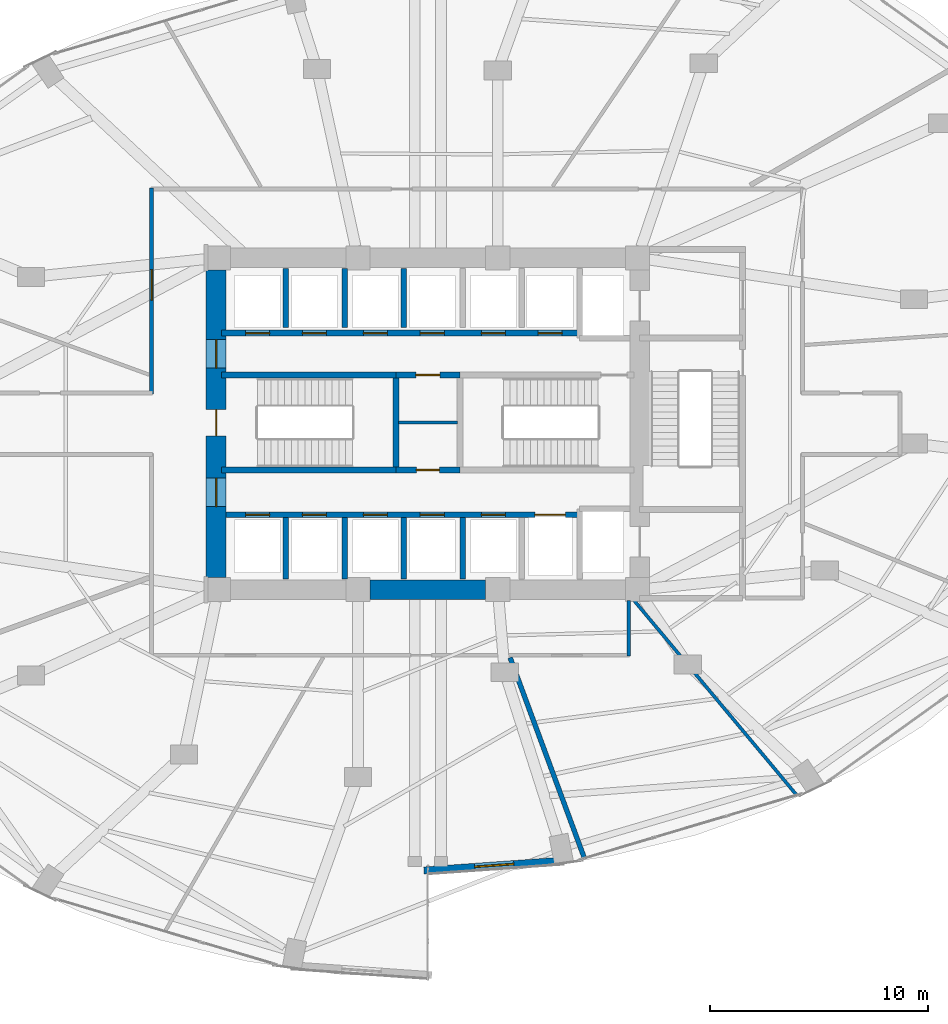
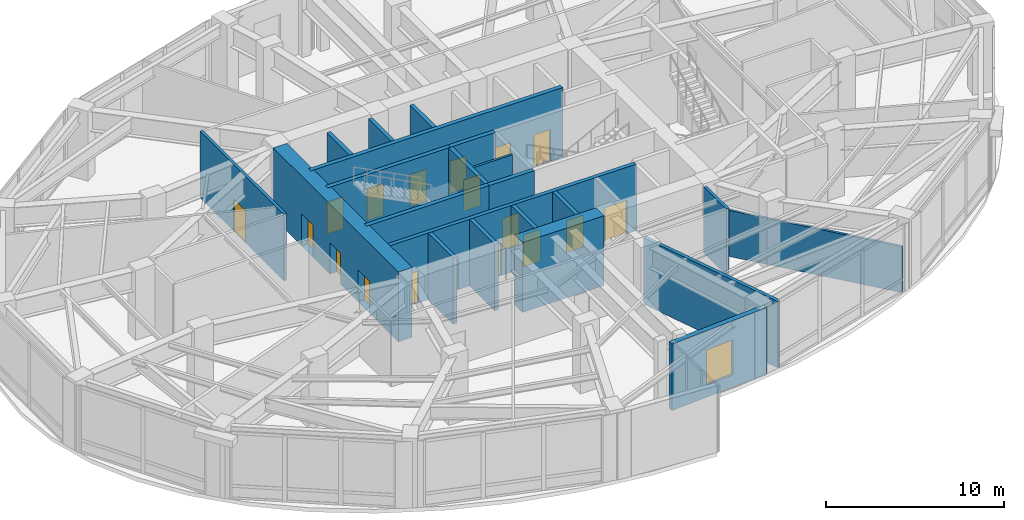
# One storey, part 21 of 24: 22 walls, 18 doors, 1 window, 19 openings.
"""IFC4 building model written with IfcOpenShell, lengths in metres."""

from ifc_helpers import new_model, si_unit, direction, frame, frame_2d, origin, place, context, subcontext, project, spatial, rectangle, extrude, material, layer, layer_set, type_object, element, fill, save


model = new_model("IFC4")

# Units and contexts
model_context = context("Model", 3, precision=1e-05, world=origin(), true_north=direction((0.0, 1.0)))
body_context = subcontext(model_context, "Body", "Model", "MODEL_VIEW")
ifc_project = project(units=[si_unit("LENGTHUNIT", "METRE"), si_unit("AREAUNIT", "SQUARE_METRE"), si_unit("VOLUMEUNIT", "CUBIC_METRE"), si_unit("PLANEANGLEUNIT", "RADIAN"), si_unit("MASSUNIT", "GRAM", prefix="KILO")], contexts=[model_context])

# Site, building, storey
site_placement = place(None, origin())
site = spatial("IfcSite", under=ifc_project, at=site_placement, CompositionType="ELEMENT")
building_placement = place(site_placement, origin())
building = spatial("IfcBuilding", under=site, at=building_placement, Name="Lazwardi Medical Tower", CompositionType="ELEMENT")
storey_placement = place(building_placement, frame((0.0, 0.0, 20.39990234375)))
storey = spatial("IfcBuildingStorey", under=building, at=storey_placement, Name="L04", CompositionType="ELEMENT", Elevation=20.39990234375)

# Wall, opening, door
ifc_material_1 = material(Name="Fire-rated gypsum board on steel stud", Category="steel")
ifc_layer_1 = layer(ifc_material_1, 0.179931640625)
ifc_layer_set_1 = layer_set([ifc_layer_1], Name="Fire-rated gypsum board on steel stud")
wall_type_1 = type_object("IfcWallType", Name="WL-COR-180", PredefinedType="PARTITIONING", material=ifc_layer_set_1)
wall_1_placement = place(storey_placement, frame((23.35009765625, 29.360107421875, 0.0), z_axis=(0.0, 0.0, 1.0), x_axis=(0.0, 1.0, 0.0)))
wall_1 = element("IfcWall", 1, at=wall_1_placement, inside=storey, type_object=wall_type_1, Name="L04 Corridor partition 3", PredefinedType="PARTITIONING", context=body_context, shape_type="SweptSolid", body=[
    extrude(rectangle(XDim=9.429931640625, YDim=0.179931640625, at=frame_2d((4.71484375, 0.0))), origin(), (0.0, 0.0, 1.0), 4.580078125),
])
opening_1_placement = place(wall_1_placement, frame((4.298095703125, 0.0, 0.0)))
opening_1 = element("IfcOpeningElement", 2, at=opening_1_placement, cuts=wall_1, Name="Opening D-L04-016", PredefinedType="OPENING", context=body_context, shape_type="SweptSolid", body=[
    extrude(rectangle(XDim=1.39990234375, YDim=2.199951171875, at=frame_2d((0.699951171875, 1.10009765625))), frame((0.0, 0.099853515625, 0.0), z_axis=(0.0, -1.0, 0.0), x_axis=(1.0, 0.0, 0.0)), (0.0, 0.0, 1.0), 0.199951171875),
])
ifc_material_2 = material(Name="Anti-microbial laminate hospital leaf")
door_type_1 = type_object("IfcDoorType", Name="DR-BED-1400", OperationType="NOTDEFINED", PredefinedType="DOOR", material=ifc_material_2)
door_1_placement = place(opening_1_placement, origin())
door_1 = element("IfcDoor", 3, at=door_1_placement, inside=storey, type_object=door_type_1, Name="L04 Sterile Preparation Room Door 10", OperationType="SINGLE_SWING_RIGHT", OverallHeight=2.199951171875, OverallWidth=1.39990234375, PredefinedType="DOOR", context=body_context, shape_type="SweptSolid", body=[
    extrude(rectangle(XDim=1.39990234375, YDim=2.199951171875, at=frame_2d((0.699951171875, 1.10009765625))), frame((0.0, 0.02490234375, 0.0), z_axis=(0.0, -1.0, 0.0), x_axis=(1.0, 0.0, 0.0)), (0.0, 0.0, 1.0), 0.050048828125),
])
fill(opening_1, door_1)

# Wall
wall_2_placement = place(storey_placement, frame((45.199951171875, 19.909912109375, 0.0), z_axis=(0.0, 0.0, 1.0), x_axis=(0.0, -1.0, 0.0)))
element("IfcWall", 4, at=wall_2_placement, inside=storey, type_object=wall_type_1, Name="L04 Corridor partition 13", PredefinedType="PARTITIONING", context=body_context, shape_type="SweptSolid", body=[
    extrude(rectangle(XDim=2.5498046875, YDim=0.179931640625, at=frame_2d((1.27490234375, 0.0))), origin(), (0.0, 0.0, 1.0), 4.580078125),
])

# Wall, openings, doors
ifc_material_3 = material(Name="Concrete C80/95", Category="concrete")
ifc_layer_2 = layer(ifc_material_3, 0.89990234375)
ifc_layer_set_2 = layer_set([ifc_layer_2], Name="Concrete C80/95")
wall_type_2 = type_object("IfcWallType", Name="WL-CORE-900", PredefinedType="SHEAR", material=ifc_layer_set_2)
wall_3_placement = place(storey_placement, frame((26.300048828125, 20.949951171875, 0.0), z_axis=(0.0, 0.0, 1.0), x_axis=(0.0, 1.0, 0.0)))
wall_3 = element("IfcWall", 5, at=wall_3_placement, inside=storey, type_object=wall_type_2, Name="Core wall CW-S1 west L04", PredefinedType="SHEAR", context=body_context, shape_type="SweptSolid", body=[
    extrude(rectangle(XDim=14.10009765625, YDim=0.89990234375, at=frame_2d((7.050048828125, 0.0))), origin(), (0.0, 0.0, 1.0), 4.800048828125),
])
opening_2_placement = place(wall_3_placement, frame((6.5, 0.0, 0.0)))
opening_2 = element("IfcOpeningElement", 6, at=opening_2_placement, cuts=wall_3, Name="Opening D-L04-017", PredefinedType="OPENING", context=body_context, shape_type="SweptSolid", body=[
    extrude(rectangle(XDim=1.199951171875, YDim=2.14990234375, at=frame_2d((0.60009765625, 1.074951171875))), frame((0.0, 0.4599609375, 0.0), z_axis=(0.0, -1.0, 0.0), x_axis=(1.0, 0.0, 0.0)), (0.0, 0.0, 1.0), 0.919921875),
])
opening_3_placement = place(wall_3_placement, frame((9.60009765625, 0.0, 0.0)))
opening_3 = element("IfcOpeningElement", 7, at=opening_3_placement, cuts=wall_3, Name="Opening D-L04-005", PredefinedType="OPENING", context=body_context, shape_type="SweptSolid", body=[
    extrude(rectangle(XDim=1.300048828125, YDim=2.199951171875, at=frame_2d((0.64990234375, 1.10009765625))), frame((0.0, 0.4599609375, 0.0), z_axis=(0.0, -1.0, 0.0), x_axis=(1.0, 0.0, 0.0)), (0.0, 0.0, 1.0), 0.919921875),
])
opening_4_placement = place(wall_3_placement, frame((3.260009765625, 0.0, 0.0)))
opening_4 = element("IfcOpeningElement", 8, at=opening_4_placement, cuts=wall_3, Name="Opening D-L04-006", PredefinedType="OPENING", context=body_context, shape_type="SweptSolid", body=[
    extrude(rectangle(XDim=1.300048828125, YDim=2.199951171875, at=frame_2d((0.64990234375, 1.10009765625))), frame((0.0, 0.4599609375, 0.0), z_axis=(0.0, -1.0, 0.0), x_axis=(1.0, 0.0, 0.0)), (0.0, 0.0, 1.0), 0.919921875),
])
ifc_material_4 = material(Name="Fire-rated steel leaf and frame", Category="steel")
door_type_2 = type_object("IfcDoorType", Name="DR-FFL-1300", OperationType="NOTDEFINED", PredefinedType="DOOR", material=ifc_material_4)
door_2_placement = place(opening_3_placement, origin())
door_2 = element("IfcDoor", 9, at=door_2_placement, inside=storey, type_object=door_type_2, Name="L04 North Lift Lobby Door", OperationType="SINGLE_SWING_RIGHT", OverallHeight=2.199951171875, OverallWidth=1.300048828125, PredefinedType="DOOR", context=body_context, shape_type="SweptSolid", body=[
    extrude(rectangle(XDim=1.300048828125, YDim=2.199951171875, at=frame_2d((0.64990234375, 1.10009765625))), frame((0.0, 0.02490234375, 0.0), z_axis=(0.0, -1.0, 0.0), x_axis=(1.0, 0.0, 0.0)), (0.0, 0.0, 1.0), 0.050048828125),
])
fill(opening_3, door_2)
door_3_placement = place(opening_4_placement, origin())
door_3 = element("IfcDoor", 10, at=door_3_placement, inside=storey, type_object=door_type_2, Name="L04 South Lift Lobby Door", OperationType="SINGLE_SWING_LEFT", OverallHeight=2.199951171875, OverallWidth=1.300048828125, PredefinedType="DOOR", context=body_context, shape_type="SweptSolid", body=[
    extrude(rectangle(XDim=1.300048828125, YDim=2.199951171875, at=frame_2d((0.64990234375, 1.10009765625))), frame((0.0, 0.02490234375, 0.0), z_axis=(0.0, -1.0, 0.0), x_axis=(1.0, 0.0, 0.0)), (0.0, 0.0, 1.0), 0.050048828125),
])
fill(opening_4, door_3)
door_type_3 = type_object("IfcDoorType", Name="DR-STR-1200", OperationType="NOTDEFINED", PredefinedType="DOOR", material=ifc_material_4)
door_4_placement = place(opening_2_placement, origin())
door_4 = element("IfcDoor", 11, at=door_4_placement, inside=storey, type_object=door_type_3, Name="L04 Exit Stair ST1 Door", OperationType="SINGLE_SWING_RIGHT", OverallHeight=2.14990234375, OverallWidth=1.199951171875, PredefinedType="DOOR", context=body_context, shape_type="SweptSolid", body=[
    extrude(rectangle(XDim=1.199951171875, YDim=2.14990234375, at=frame_2d((0.60009765625, 1.074951171875))), frame((0.0, 0.02490234375, 0.0), z_axis=(0.0, -1.0, 0.0), x_axis=(1.0, 0.0, 0.0)), (0.0, 0.0, 1.0), 0.050048828125),
])
fill(opening_2, door_4)

# Wall
wall_4_placement = place(storey_placement, frame((33.35009765625, 20.39990234375, 0.0), z_axis=(0.0, 0.0, 1.0), x_axis=(1.0, 0.0, 0.0)))
element("IfcWall", 12, at=wall_4_placement, inside=storey, type_object=wall_type_2, Name="Core wall CW-S1 S2 L04", PredefinedType="SHEAR", context=body_context, shape_type="SweptSolid", body=[
    extrude(rectangle(XDim=5.2998046875, YDim=0.89990234375, at=frame_2d((2.64990234375, 0.0))), origin(), (0.0, 0.0, 1.0), 4.800048828125),
])

# Wall, opening, window
ifc_material_5 = material(Name="Precast concrete C45/55", Category="concrete")
ifc_layer_3 = layer(ifc_material_5, 0.320068359375)
ifc_layer_set_3 = layer_set([ifc_layer_3], Name="Precast concrete C45/55")
wall_type_3 = type_object("IfcWallType", Name="WL-IWAN-320", PredefinedType="SOLIDWALL", material=ifc_layer_set_3)
wall_5_placement = place(storey_placement, frame((35.8203125, 7.54736328125, 0.0), z_axis=(0.0, 0.0, 1.0), x_axis=(0.99751367159, 0.070473221795, 0.0)))
wall_5 = element("IfcWall", 13, at=wall_5_placement, inside=storey, type_object=wall_type_3, Name="L04 Iwan Portal Return Wall SE_ret", PredefinedType="SOLIDWALL", context=body_context, shape_type="SweptSolid", body=[
    extrude(rectangle(XDim=6.45751953125, YDim=0.320068359375, at=frame_2d((3.228759765625, 0.0))), origin(), (0.0, 0.0, 1.0), 4.580078125),
])
opening_5_placement = place(wall_5_placement, frame((2.32861328125, 0.0, 0.85009765625)))
opening_5 = element("IfcOpeningElement", 14, at=opening_5_placement, cuts=wall_5, Name="Opening WN-03", PredefinedType="OPENING", context=body_context, shape_type="SweptSolid", body=[
    extrude(rectangle(XDim=1.800048828125, YDim=2.39990234375, at=frame_2d((0.89990234375, 1.199951171875))), frame((0.0, 0.169921875, 0.0), z_axis=(0.0, -1.0, 0.0), x_axis=(1.0, 0.0, 0.0)), (0.0, 0.0, 1.0), 0.340087890625),
])
ifc_material_6 = material(Name="Laminated acoustic bronze double glazing", Category="glass")
window_type = type_object("IfcWindowType", Name="WIN-POD-1800", PartitioningType="SINGLE_PANEL", PredefinedType="WINDOW", material=ifc_material_6)
window_placement = place(opening_5_placement, origin())
window = element("IfcWindow", 15, at=window_placement, inside=storey, type_object=window_type, Name="L04 Iwan Slot Window SE_ret", OverallHeight=2.39990234375, OverallWidth=1.800048828125, PartitioningType="SINGLE_PANEL", PredefinedType="WINDOW", context=body_context, shape_type="SweptSolid", body=[
    extrude(rectangle(XDim=1.800048828125, YDim=2.39990234375, at=frame_2d((0.89990234375, 1.199951171875))), frame((0.0, 0.030029296875, 0.0), z_axis=(0.0, -1.0, 0.0), x_axis=(1.0, 0.0, 0.0)), (0.0, 0.0, 1.0), 0.06005859375),
])
fill(opening_5, window)

# Wall, openings, doors
ifc_material_7 = material(Name="Autoclaved aerated concrete blockwork", Category="masonry")
ifc_layer_4 = layer(ifc_material_7, 0.25)
ifc_layer_set_4 = layer_set([ifc_layer_4], Name="Autoclaved aerated concrete blockwork")
wall_type_4 = type_object("IfcWallType", Name="WL-SHAFT-250", PredefinedType="SOLIDWALL", material=ifc_layer_set_4)
wall_6_placement = place(storey_placement, frame((26.75, 23.830078125, 0.0), z_axis=(0.0, 0.0, 1.0), x_axis=(1.0, 0.0, 0.0)))
wall_6 = element("IfcWall", 16, at=wall_6_placement, inside=storey, type_object=wall_type_4, Name="L04 South lift bank front wall", PredefinedType="SOLIDWALL", context=body_context, shape_type="SweptSolid", body=[
    extrude(rectangle(XDim=16.199951171875, YDim=0.25, at=frame_2d((8.10009765625, 0.0))), origin(), (0.0, 0.0, 1.0), 4.580078125),
])
opening_6_placement = place(wall_6_placement, frame((0.89990234375, 0.0, 0.0)))
opening_6 = element("IfcOpeningElement", 17, at=opening_6_placement, cuts=wall_6, Name="Opening LD-L04-006", PredefinedType="OPENING", context=body_context, shape_type="SweptSolid", body=[
    extrude(rectangle(XDim=1.10009765625, YDim=2.199951171875, at=frame_2d((0.550048828125, 1.10009765625))), frame((0.0, 0.135009765625, 0.0), z_axis=(0.0, -1.0, 0.0), x_axis=(1.0, 0.0, 0.0)), (0.0, 0.0, 1.0), 0.27001953125),
])
opening_7_placement = place(wall_6_placement, frame((3.5, 0.0, 0.0)))
opening_7 = element("IfcOpeningElement", 18, at=opening_7_placement, cuts=wall_6, Name="Opening LD-L04-007", PredefinedType="OPENING", context=body_context, shape_type="SweptSolid", body=[
    extrude(rectangle(XDim=1.10009765625, YDim=2.199951171875, at=frame_2d((0.550048828125, 1.10009765625))), frame((0.0, 0.135009765625, 0.0), z_axis=(0.0, -1.0, 0.0), x_axis=(1.0, 0.0, 0.0)), (0.0, 0.0, 1.0), 0.27001953125),
])
opening_8_placement = place(wall_6_placement, frame((6.300048828125, 0.0, 0.0)))
opening_8 = element("IfcOpeningElement", 19, at=opening_8_placement, cuts=wall_6, Name="Opening LD-L04-010", PredefinedType="OPENING", context=body_context, shape_type="SweptSolid", body=[
    extrude(rectangle(XDim=1.10009765625, YDim=2.199951171875, at=frame_2d((0.550048828125, 1.10009765625))), frame((0.0, 0.135009765625, 0.0), z_axis=(0.0, -1.0, 0.0), x_axis=(1.0, 0.0, 0.0)), (0.0, 0.0, 1.0), 0.27001953125),
])
opening_9_placement = place(wall_6_placement, frame((8.89990234375, 0.0, 0.0)))
opening_9 = element("IfcOpeningElement", 20, at=opening_9_placement, cuts=wall_6, Name="Opening LD-L04-011", PredefinedType="OPENING", context=body_context, shape_type="SweptSolid", body=[
    extrude(rectangle(XDim=1.10009765625, YDim=2.199951171875, at=frame_2d((0.550048828125, 1.10009765625))), frame((0.0, 0.135009765625, 0.0), z_axis=(0.0, -1.0, 0.0), x_axis=(1.0, 0.0, 0.0)), (0.0, 0.0, 1.0), 0.27001953125),
])
opening_10_placement = place(wall_6_placement, frame((11.699951171875, 0.0, 0.0)))
opening_10 = element("IfcOpeningElement", 21, at=opening_10_placement, cuts=wall_6, Name="Opening LD-L04-014", PredefinedType="OPENING", context=body_context, shape_type="SweptSolid", body=[
    extrude(rectangle(XDim=1.10009765625, YDim=2.199951171875, at=frame_2d((0.550048828125, 1.10009765625))), frame((0.0, 0.135009765625, 0.0), z_axis=(0.0, -1.0, 0.0), x_axis=(1.0, 0.0, 0.0)), (0.0, 0.0, 1.0), 0.27001953125),
])
opening_11_placement = place(wall_6_placement, frame((14.14990234375, 0.0, 0.0)))
opening_11 = element("IfcOpeningElement", 22, at=opening_11_placement, cuts=wall_6, Name="Opening LD-L04-003", PredefinedType="OPENING", context=body_context, shape_type="SweptSolid", body=[
    extrude(rectangle(XDim=1.39990234375, YDim=2.300048828125, at=frame_2d((0.699951171875, 1.14990234375))), frame((0.0, 0.135009765625, 0.0), z_axis=(0.0, -1.0, 0.0), x_axis=(1.0, 0.0, 0.0)), (0.0, 0.0, 1.0), 0.27001953125),
])
ifc_material_8 = material(Name="Brushed bronze stainless steel landing door", Category="steel")
door_type_4 = type_object("IfcDoorType", Name="DR-LFT-1100", OperationType="NOTDEFINED", PredefinedType="DOOR", material=ifc_material_8)
door_5_placement = place(opening_6_placement, origin())
door_5 = element("IfcDoor", 23, at=door_5_placement, inside=storey, type_object=door_type_4, Name="L04 Lift Landing Door PL-03", OperationType="SLIDING_TO_LEFT", OverallHeight=2.199951171875, OverallWidth=1.10009765625, PredefinedType="DOOR", context=body_context, shape_type="SweptSolid", body=[
    extrude(rectangle(XDim=1.10009765625, YDim=2.199951171875, at=frame_2d((0.550048828125, 1.10009765625))), frame((0.0, 0.02490234375, 0.0), z_axis=(0.0, -1.0, 0.0), x_axis=(1.0, 0.0, 0.0)), (0.0, 0.0, 1.0), 0.050048828125),
])
fill(opening_6, door_5)
door_6_placement = place(opening_7_placement, origin())
door_6 = element("IfcDoor", 24, at=door_6_placement, inside=storey, type_object=door_type_4, Name="L04 Lift Landing Door PL-04", OperationType="SLIDING_TO_LEFT", OverallHeight=2.199951171875, OverallWidth=1.10009765625, PredefinedType="DOOR", context=body_context, shape_type="SweptSolid", body=[
    extrude(rectangle(XDim=1.10009765625, YDim=2.199951171875, at=frame_2d((0.550048828125, 1.10009765625))), frame((0.0, 0.02490234375, 0.0), z_axis=(0.0, -1.0, 0.0), x_axis=(1.0, 0.0, 0.0)), (0.0, 0.0, 1.0), 0.050048828125),
])
fill(opening_7, door_6)
door_7_placement = place(opening_8_placement, origin())
door_7 = element("IfcDoor", 25, at=door_7_placement, inside=storey, type_object=door_type_4, Name="L04 Lift Landing Door PL-07", OperationType="SLIDING_TO_LEFT", OverallHeight=2.199951171875, OverallWidth=1.10009765625, PredefinedType="DOOR", context=body_context, shape_type="SweptSolid", body=[
    extrude(rectangle(XDim=1.10009765625, YDim=2.199951171875, at=frame_2d((0.550048828125, 1.10009765625))), frame((0.0, 0.02490234375, 0.0), z_axis=(0.0, -1.0, 0.0), x_axis=(1.0, 0.0, 0.0)), (0.0, 0.0, 1.0), 0.050048828125),
])
fill(opening_8, door_7)
door_8_placement = place(opening_9_placement, origin())
door_8 = element("IfcDoor", 26, at=door_8_placement, inside=storey, type_object=door_type_4, Name="L04 Lift Landing Door PL-08", OperationType="SLIDING_TO_LEFT", OverallHeight=2.199951171875, OverallWidth=1.10009765625, PredefinedType="DOOR", context=body_context, shape_type="SweptSolid", body=[
    extrude(rectangle(XDim=1.10009765625, YDim=2.199951171875, at=frame_2d((0.550048828125, 1.10009765625))), frame((0.0, 0.02490234375, 0.0), z_axis=(0.0, -1.0, 0.0), x_axis=(1.0, 0.0, 0.0)), (0.0, 0.0, 1.0), 0.050048828125),
])
fill(opening_9, door_8)
door_9_placement = place(opening_10_placement, origin())
door_9 = element("IfcDoor", 27, at=door_9_placement, inside=storey, type_object=door_type_4, Name="L04 Lift Landing Door PL-11", OperationType="SLIDING_TO_LEFT", OverallHeight=2.199951171875, OverallWidth=1.10009765625, PredefinedType="DOOR", context=body_context, shape_type="SweptSolid", body=[
    extrude(rectangle(XDim=1.10009765625, YDim=2.199951171875, at=frame_2d((0.550048828125, 1.10009765625))), frame((0.0, 0.02490234375, 0.0), z_axis=(0.0, -1.0, 0.0), x_axis=(1.0, 0.0, 0.0)), (0.0, 0.0, 1.0), 0.050048828125),
])
fill(opening_10, door_9)
ifc_material_9 = material(Name="Brushed stainless steel bed-lift landing door", Category="steel")
door_type_5 = type_object("IfcDoorType", Name="DR-LFT-1400", OperationType="NOTDEFINED", PredefinedType="DOOR", material=ifc_material_9)
door_10_placement = place(opening_11_placement, origin())
door_10 = element("IfcDoor", 28, at=door_10_placement, inside=storey, type_object=door_type_5, Name="L04 Lift Landing Door FL-03", OperationType="SLIDING_TO_LEFT", OverallHeight=2.300048828125, OverallWidth=1.39990234375, PredefinedType="DOOR", context=body_context, shape_type="SweptSolid", body=[
    extrude(rectangle(XDim=1.39990234375, YDim=2.300048828125, at=frame_2d((0.699951171875, 1.14990234375))), frame((0.0, 0.02490234375, 0.0), z_axis=(0.0, -1.0, 0.0), x_axis=(1.0, 0.0, 0.0)), (0.0, 0.0, 1.0), 0.050048828125),
])
fill(opening_11, door_10)

# Walls
wall_7_placement = place(storey_placement, frame((29.5, 32.419921875, 0.0), z_axis=(0.0, 0.0, 1.0), x_axis=(0.0, 1.0, 0.0)))
element("IfcWall", 29, at=wall_7_placement, inside=storey, type_object=wall_type_4, Name="L04 North hoistway divider", PredefinedType="SOLIDWALL", context=body_context, shape_type="SweptSolid", body=[
    extrude(rectangle(XDim=2.68017578125, YDim=0.25, at=frame_2d((1.340087890625, 0.0))), origin(), (0.0, 0.0, 1.0), 4.580078125),
])
wall_8_placement = place(storey_placement, frame((29.5, 20.89990234375, 0.0), z_axis=(0.0, 0.0, 1.0), x_axis=(0.0, 1.0, 0.0)))
element("IfcWall", 30, at=wall_8_placement, inside=storey, type_object=wall_type_4, Name="L04 South hoistway divider", PredefinedType="SOLIDWALL", context=body_context, shape_type="SweptSolid", body=[
    extrude(rectangle(XDim=2.800048828125, YDim=0.25, at=frame_2d((1.39990234375, 0.0))), origin(), (0.0, 0.0, 1.0), 4.580078125),
])
wall_9_placement = place(storey_placement, frame((32.199951171875, 32.419921875, 0.0), z_axis=(0.0, 0.0, 1.0), x_axis=(0.0, 1.0, 0.0)))
element("IfcWall", 31, at=wall_9_placement, inside=storey, type_object=wall_type_4, Name="L04 North hoistway divider", PredefinedType="SOLIDWALL", context=body_context, shape_type="SweptSolid", body=[
    extrude(rectangle(XDim=2.68017578125, YDim=0.25, at=frame_2d((1.340087890625, 0.0))), origin(), (0.0, 0.0, 1.0), 4.580078125),
])
wall_10_placement = place(storey_placement, frame((32.199951171875, 20.89990234375, 0.0), z_axis=(0.0, 0.0, 1.0), x_axis=(0.0, 1.0, 0.0)))
element("IfcWall", 32, at=wall_10_placement, inside=storey, type_object=wall_type_4, Name="L04 South hoistway divider", PredefinedType="SOLIDWALL", context=body_context, shape_type="SweptSolid", body=[
    extrude(rectangle(XDim=2.800048828125, YDim=0.25, at=frame_2d((1.39990234375, 0.0))), origin(), (0.0, 0.0, 1.0), 4.580078125),
])
wall_11_placement = place(storey_placement, frame((34.89990234375, 32.419921875, 0.0), z_axis=(0.0, 0.0, 1.0), x_axis=(0.0, 1.0, 0.0)))
element("IfcWall", 33, at=wall_11_placement, inside=storey, type_object=wall_type_4, Name="L04 North hoistway divider", PredefinedType="SOLIDWALL", context=body_context, shape_type="SweptSolid", body=[
    extrude(rectangle(XDim=2.68017578125, YDim=0.25, at=frame_2d((1.340087890625, 0.0))), origin(), (0.0, 0.0, 1.0), 4.580078125),
])
for number, where, z_axis, x_axis, name in (
    (34, (34.89990234375, 20.89990234375, 0.0), (0.0, 0.0, 1.0), (0.0, 1.0, 0.0), "L04 South hoistway divider"),
    (35, (37.60009765625, 20.89990234375, 0.0), (0.0, 0.0, 1.0), (0.0, 1.0, 0.0), "L04 South hoistway divider"),
):
    element("IfcWall", number, at=place(storey_placement, frame(where, z_axis=z_axis, x_axis=x_axis)), inside=storey, type_object=wall_type_4, Name=name, PredefinedType="SOLIDWALL", context=body_context, shape_type="SweptSolid", body=[
        extrude(rectangle(XDim=2.800048828125, YDim=0.25, at=frame_2d((1.39990234375, 0.0))), origin(), (0.0, 0.0, 1.0), 4.580078125),
    ])
ifc_layer_5 = layer(ifc_material_1, 0.219970703125)
ifc_layer_set_5 = layer_set([ifc_layer_5], Name="Fire-rated gypsum board on steel stud")
wall_type_5 = type_object("IfcWallType", Name="WL-SMK-220", PredefinedType="PARTITIONING", material=ifc_layer_set_5)
wall_12_placement = place(storey_placement, frame((39.76708984375, 17.289794921875, 0.0), z_axis=(0.0, 0.0, 1.0), x_axis=(0.347365452064, -0.937729834607, 0.0)))
element("IfcWall", 36, at=wall_12_placement, inside=storey, type_object=wall_type_5, Name="L04 Room partition 1", PredefinedType="PARTITIONING", context=body_context, shape_type="SweptSolid", body=[
    extrude(rectangle(XDim=9.803955078125, YDim=0.219970703125, at=frame_2d((4.90185546875, 0.0))), origin(), (0.0, 0.0, 1.0), 4.580078125),
])
ifc_material_10 = material(Name="Concrete C50/60", Category="concrete")
ifc_layer_6 = layer(ifc_material_10, 0.27001953125)
ifc_layer_set_6 = layer_set([ifc_layer_6], Name="Concrete C50/60")
wall_type_6 = type_object("IfcWallType", Name="WL-STR-250", PredefinedType="SHEAR", material=ifc_layer_set_6)
wall_13_placement = place(storey_placement, frame((26.550048828125, 30.235107421875, 0.0), z_axis=(0.0, 0.0, 1.0), x_axis=(1.0, 0.0, 0.0)))
element("IfcWall", 37, at=wall_13_placement, inside=storey, type_object=wall_type_6, Name="L04 ST1 North shear shaft wall SW-S1", PredefinedType="SHEAR", context=body_context, shape_type="SweptSolid", body=[
    extrude(rectangle(XDim=7.98486328125, YDim=0.27001953125, at=frame_2d((3.992431640625, 0.0))), origin(), (0.0, 0.0, 1.0), 4.800048828125),
])

# Wall, opening, door
wall_14_placement = place(storey_placement, frame((34.534912109375, 30.235107421875, 0.0), z_axis=(0.0, 0.0, 1.0), x_axis=(1.0, 0.0, 0.0)))
wall_14 = element("IfcWall", 38, at=wall_14_placement, inside=storey, type_object=wall_type_6, Name="L04 Core service North shear wall SW-S1", PredefinedType="SHEAR", context=body_context, shape_type="SweptSolid", body=[
    extrude(rectangle(XDim=2.93017578125, YDim=0.27001953125, at=frame_2d((1.465087890625, 0.0))), origin(), (0.0, 0.0, 1.0), 4.800048828125),
])
opening_12_placement = place(wall_14_placement, frame((0.9150390625, 0.0, 0.0)))
opening_12 = element("IfcOpeningElement", 39, at=opening_12_placement, cuts=wall_14, Name="Opening D-L04-002", PredefinedType="OPENING", context=body_context, shape_type="SweptSolid", body=[
    extrude(rectangle(XDim=1.10009765625, YDim=2.14990234375, at=frame_2d((0.550048828125, 1.074951171875))), frame((0.0, 0.14501953125, 0.0), z_axis=(0.0, -1.0, 0.0), x_axis=(1.0, 0.0, 0.0)), (0.0, 0.0, 1.0), 0.2900390625),
])
door_type_6 = type_object("IfcDoorType", Name="DR-PLT-1100", OperationType="NOTDEFINED", PredefinedType="DOOR", material=ifc_material_4)
door_11_placement = place(opening_12_placement, origin())
door_11 = element("IfcDoor", 40, at=door_11_placement, inside=storey, type_object=door_type_6, Name="L04 Electrical Room Door", OperationType="SINGLE_SWING_LEFT", OverallHeight=2.14990234375, OverallWidth=1.10009765625, PredefinedType="DOOR", context=body_context, shape_type="SweptSolid", body=[
    extrude(rectangle(XDim=1.10009765625, YDim=2.14990234375, at=frame_2d((0.550048828125, 1.074951171875))), frame((0.0, 0.02490234375, 0.0), z_axis=(0.0, -1.0, 0.0), x_axis=(1.0, 0.0, 0.0)), (0.0, 0.0, 1.0), 0.050048828125),
])
fill(opening_12, door_11)

# Wall
wall_15_placement = place(storey_placement, frame((26.550048828125, 25.885009765625, 0.0), z_axis=(0.0, 0.0, 1.0), x_axis=(1.0, 0.0, 0.0)))
element("IfcWall", 41, at=wall_15_placement, inside=storey, type_object=wall_type_6, Name="L04 ST1 South shear shaft wall SW-S1", PredefinedType="SHEAR", context=body_context, shape_type="SweptSolid", body=[
    extrude(rectangle(XDim=7.98486328125, YDim=0.27001953125, at=frame_2d((3.992431640625, 0.0))), origin(), (0.0, 0.0, 1.0), 4.800048828125),
])

# Wall, opening, door
wall_16_placement = place(storey_placement, frame((34.534912109375, 25.885009765625, 0.0), z_axis=(0.0, 0.0, 1.0), x_axis=(1.0, 0.0, 0.0)))
wall_16 = element("IfcWall", 42, at=wall_16_placement, inside=storey, type_object=wall_type_6, Name="L04 Core service South shear wall SW-S1", PredefinedType="SHEAR", context=body_context, shape_type="SweptSolid", body=[
    extrude(rectangle(XDim=2.93017578125, YDim=0.27001953125, at=frame_2d((1.465087890625, 0.0))), origin(), (0.0, 0.0, 1.0), 4.800048828125),
])
opening_13_placement = place(wall_16_placement, frame((0.93994140625, 0.0, 0.0)))
opening_13 = element("IfcOpeningElement", 43, at=opening_13_placement, cuts=wall_16, Name="Opening D-L04-001", PredefinedType="OPENING", context=body_context, shape_type="SweptSolid", body=[
    extrude(rectangle(XDim=1.050048828125, YDim=2.14990234375, at=frame_2d((0.52490234375, 1.074951171875))), frame((0.0, 0.14501953125, 0.0), z_axis=(0.0, -1.0, 0.0), x_axis=(1.0, 0.0, 0.0)), (0.0, 0.0, 1.0), 0.2900390625),
])
door_type_7 = type_object("IfcDoorType", Name="DR-CLN-1050", OperationType="NOTDEFINED", PredefinedType="DOOR", material=ifc_material_2)
door_12_placement = place(opening_13_placement, origin())
door_12 = element("IfcDoor", 44, at=door_12_placement, inside=storey, type_object=door_type_7, Name="L04 Dirty Sluice Door", OperationType="SINGLE_SWING_RIGHT", OverallHeight=2.14990234375, OverallWidth=1.050048828125, PredefinedType="DOOR", context=body_context, shape_type="SweptSolid", body=[
    extrude(rectangle(XDim=1.050048828125, YDim=2.14990234375, at=frame_2d((0.52490234375, 1.074951171875))), frame((0.0, 0.02490234375, 0.0), z_axis=(0.0, -1.0, 0.0), x_axis=(1.0, 0.0, 0.0)), (0.0, 0.0, 1.0), 0.050048828125),
])
fill(opening_13, door_12)

# Wall
wall_17_placement = place(storey_placement, frame((34.534912109375, 26.02001953125, 0.0), z_axis=(0.0, 0.0, 1.0), x_axis=(0.0, 1.0, 0.0)))
element("IfcWall", 45, at=wall_17_placement, inside=storey, type_object=wall_type_6, Name="L04 ST1 East shear shaft wall SW-S1", PredefinedType="SHEAR", context=body_context, shape_type="SweptSolid", body=[
    extrude(rectangle(XDim=4.080078125, YDim=0.27001953125, at=frame_2d((2.0400390625, 0.0))), origin(), (0.0, 0.0, 1.0), 4.800048828125),
])

# Wall, openings, doors
wall_18_placement = place(storey_placement, frame((26.550048828125, 32.14990234375, 0.0), z_axis=(0.0, 0.0, 1.0), x_axis=(1.0, 0.0, 0.0)))
wall_18 = element("IfcWall", 46, at=wall_18_placement, inside=storey, type_object=wall_type_6, Name="L04 North lift bank shear wall SW-S1", PredefinedType="SHEAR", context=body_context, shape_type="SweptSolid", body=[
    extrude(rectangle(XDim=16.39990234375, YDim=0.27001953125, at=frame_2d((8.199951171875, 0.0))), origin(), (0.0, 0.0, 1.0), 4.800048828125),
])
opening_14_placement = place(wall_18_placement, frame((1.10009765625, 0.0, 0.0)))
opening_14 = element("IfcOpeningElement", 47, at=opening_14_placement, cuts=wall_18, Name="Opening LD-L04-004", PredefinedType="OPENING", context=body_context, shape_type="SweptSolid", body=[
    extrude(rectangle(XDim=1.10009765625, YDim=2.199951171875, at=frame_2d((0.550048828125, 1.10009765625))), frame((0.0, 0.14501953125, 0.0), z_axis=(0.0, -1.0, 0.0), x_axis=(1.0, 0.0, 0.0)), (0.0, 0.0, 1.0), 0.2900390625),
])
opening_15_placement = place(wall_18_placement, frame((3.699951171875, 0.0, 0.0)))
opening_15 = element("IfcOpeningElement", 48, at=opening_15_placement, cuts=wall_18, Name="Opening LD-L04-005", PredefinedType="OPENING", context=body_context, shape_type="SweptSolid", body=[
    extrude(rectangle(XDim=1.10009765625, YDim=2.199951171875, at=frame_2d((0.550048828125, 1.10009765625))), frame((0.0, 0.14501953125, 0.0), z_axis=(0.0, -1.0, 0.0), x_axis=(1.0, 0.0, 0.0)), (0.0, 0.0, 1.0), 0.2900390625),
])
opening_16_placement = place(wall_18_placement, frame((6.5, 0.0, 0.0)))
opening_16 = element("IfcOpeningElement", 49, at=opening_16_placement, cuts=wall_18, Name="Opening LD-L04-008", PredefinedType="OPENING", context=body_context, shape_type="SweptSolid", body=[
    extrude(rectangle(XDim=1.10009765625, YDim=2.199951171875, at=frame_2d((0.550048828125, 1.10009765625))), frame((0.0, 0.14501953125, 0.0), z_axis=(0.0, -1.0, 0.0), x_axis=(1.0, 0.0, 0.0)), (0.0, 0.0, 1.0), 0.2900390625),
])
opening_17_placement = place(wall_18_placement, frame((9.10009765625, 0.0, 0.0)))
opening_17 = element("IfcOpeningElement", 50, at=opening_17_placement, cuts=wall_18, Name="Opening LD-L04-009", PredefinedType="OPENING", context=body_context, shape_type="SweptSolid", body=[
    extrude(rectangle(XDim=1.10009765625, YDim=2.199951171875, at=frame_2d((0.550048828125, 1.10009765625))), frame((0.0, 0.14501953125, 0.0), z_axis=(0.0, -1.0, 0.0), x_axis=(1.0, 0.0, 0.0)), (0.0, 0.0, 1.0), 0.2900390625),
])
opening_18_placement = place(wall_18_placement, frame((11.89990234375, 0.0, 0.0)))
opening_18 = element("IfcOpeningElement", 51, at=opening_18_placement, cuts=wall_18, Name="Opening LD-L04-012", PredefinedType="OPENING", context=body_context, shape_type="SweptSolid", body=[
    extrude(rectangle(XDim=1.10009765625, YDim=2.199951171875, at=frame_2d((0.550048828125, 1.10009765625))), frame((0.0, 0.14501953125, 0.0), z_axis=(0.0, -1.0, 0.0), x_axis=(1.0, 0.0, 0.0)), (0.0, 0.0, 1.0), 0.2900390625),
])
opening_19_placement = place(wall_18_placement, frame((14.5, 0.0, 0.0)))
opening_19 = element("IfcOpeningElement", 52, at=opening_19_placement, cuts=wall_18, Name="Opening LD-L04-013", PredefinedType="OPENING", context=body_context, shape_type="SweptSolid", body=[
    extrude(rectangle(XDim=1.10009765625, YDim=2.199951171875, at=frame_2d((0.550048828125, 1.10009765625))), frame((0.0, 0.14501953125, 0.0), z_axis=(0.0, -1.0, 0.0), x_axis=(1.0, 0.0, 0.0)), (0.0, 0.0, 1.0), 0.2900390625),
])
door_13_placement = place(opening_14_placement, origin())
door_13 = element("IfcDoor", 53, at=door_13_placement, inside=storey, type_object=door_type_4, Name="L04 Lift Landing Door PL-01", OperationType="SLIDING_TO_LEFT", OverallHeight=2.199951171875, OverallWidth=1.10009765625, PredefinedType="DOOR", context=body_context, shape_type="SweptSolid", body=[
    extrude(rectangle(XDim=1.10009765625, YDim=2.199951171875, at=frame_2d((0.550048828125, 1.10009765625))), frame((0.0, 0.02490234375, 0.0), z_axis=(0.0, -1.0, 0.0), x_axis=(1.0, 0.0, 0.0)), (0.0, 0.0, 1.0), 0.050048828125),
])
fill(opening_14, door_13)
door_14_placement = place(opening_15_placement, origin())
door_14 = element("IfcDoor", 54, at=door_14_placement, inside=storey, type_object=door_type_4, Name="L04 Lift Landing Door PL-02", OperationType="SLIDING_TO_LEFT", OverallHeight=2.199951171875, OverallWidth=1.10009765625, PredefinedType="DOOR", context=body_context, shape_type="SweptSolid", body=[
    extrude(rectangle(XDim=1.10009765625, YDim=2.199951171875, at=frame_2d((0.550048828125, 1.10009765625))), frame((0.0, 0.02490234375, 0.0), z_axis=(0.0, -1.0, 0.0), x_axis=(1.0, 0.0, 0.0)), (0.0, 0.0, 1.0), 0.050048828125),
])
fill(opening_15, door_14)
door_15_placement = place(opening_16_placement, origin())
door_15 = element("IfcDoor", 55, at=door_15_placement, inside=storey, type_object=door_type_4, Name="L04 Lift Landing Door PL-05", OperationType="SLIDING_TO_LEFT", OverallHeight=2.199951171875, OverallWidth=1.10009765625, PredefinedType="DOOR", context=body_context, shape_type="SweptSolid", body=[
    extrude(rectangle(XDim=1.10009765625, YDim=2.199951171875, at=frame_2d((0.550048828125, 1.10009765625))), frame((0.0, 0.02490234375, 0.0), z_axis=(0.0, -1.0, 0.0), x_axis=(1.0, 0.0, 0.0)), (0.0, 0.0, 1.0), 0.050048828125),
])
fill(opening_16, door_15)
door_16_placement = place(opening_17_placement, origin())
door_16 = element("IfcDoor", 56, at=door_16_placement, inside=storey, type_object=door_type_4, Name="L04 Lift Landing Door PL-06", OperationType="SLIDING_TO_LEFT", OverallHeight=2.199951171875, OverallWidth=1.10009765625, PredefinedType="DOOR", context=body_context, shape_type="SweptSolid", body=[
    extrude(rectangle(XDim=1.10009765625, YDim=2.199951171875, at=frame_2d((0.550048828125, 1.10009765625))), frame((0.0, 0.02490234375, 0.0), z_axis=(0.0, -1.0, 0.0), x_axis=(1.0, 0.0, 0.0)), (0.0, 0.0, 1.0), 0.050048828125),
])
fill(opening_17, door_16)
door_17_placement = place(opening_18_placement, origin())
door_17 = element("IfcDoor", 57, at=door_17_placement, inside=storey, type_object=door_type_4, Name="L04 Lift Landing Door PL-09", OperationType="SLIDING_TO_LEFT", OverallHeight=2.199951171875, OverallWidth=1.10009765625, PredefinedType="DOOR", context=body_context, shape_type="SweptSolid", body=[
    extrude(rectangle(XDim=1.10009765625, YDim=2.199951171875, at=frame_2d((0.550048828125, 1.10009765625))), frame((0.0, 0.02490234375, 0.0), z_axis=(0.0, -1.0, 0.0), x_axis=(1.0, 0.0, 0.0)), (0.0, 0.0, 1.0), 0.050048828125),
])
fill(opening_18, door_17)
door_18_placement = place(opening_19_placement, origin())
door_18 = element("IfcDoor", 58, at=door_18_placement, inside=storey, type_object=door_type_4, Name="L04 Lift Landing Door PL-10", OperationType="SLIDING_TO_LEFT", OverallHeight=2.199951171875, OverallWidth=1.10009765625, PredefinedType="DOOR", context=body_context, shape_type="SweptSolid", body=[
    extrude(rectangle(XDim=1.10009765625, YDim=2.199951171875, at=frame_2d((0.550048828125, 1.10009765625))), frame((0.0, 0.02490234375, 0.0), z_axis=(0.0, -1.0, 0.0), x_axis=(1.0, 0.0, 0.0)), (0.0, 0.0, 1.0), 0.050048828125),
])
fill(opening_19, door_18)

# Walls
ifc_material_11 = material(Name="Acoustic gypsum board partition")
ifc_layer_7 = layer(ifc_material_11, 0.14990234375)
ifc_layer_set_7 = layer_set([ifc_layer_7], Name="Acoustic gypsum board partition")
wall_type_7 = type_object("IfcWallType", Name="WL-WRD-150", PredefinedType="PARTITIONING", material=ifc_layer_set_7)
wall_19_placement = place(storey_placement, frame((34.64990234375, 28.06005859375, 0.0), z_axis=(0.0, 0.0, 1.0), x_axis=(1.0, 0.0, 0.0)))
element("IfcWall", 59, at=wall_19_placement, inside=storey, type_object=wall_type_7, Name="L04 Core service divider", PredefinedType="PARTITIONING", context=body_context, shape_type="SweptSolid", body=[
    extrude(rectangle(XDim=2.7001953125, YDim=0.14990234375, at=frame_2d((1.35009765625, 0.0))), origin(), (0.0, 0.0, 1.0), 4.580078125),
])
wall_20_placement = place(storey_placement, frame((45.407470703125, 19.950439453125, 0.0), z_axis=(0.0, 0.0, 1.0), x_axis=(0.641117276754, -0.767442921296, 0.0)))
element("IfcWall", 60, at=wall_20_placement, inside=storey, type_object=wall_type_7, Name="L04 Room partition 2", PredefinedType="PARTITIONING", context=body_context, shape_type="SweptSolid", body=[
    extrude(rectangle(XDim=11.680908203125, YDim=0.14990234375, at=frame_2d((5.84033203125, 0.0))), origin(), (0.0, 0.0, 1.0), 3.1650390625),
])

save(model, "model.ifc")
